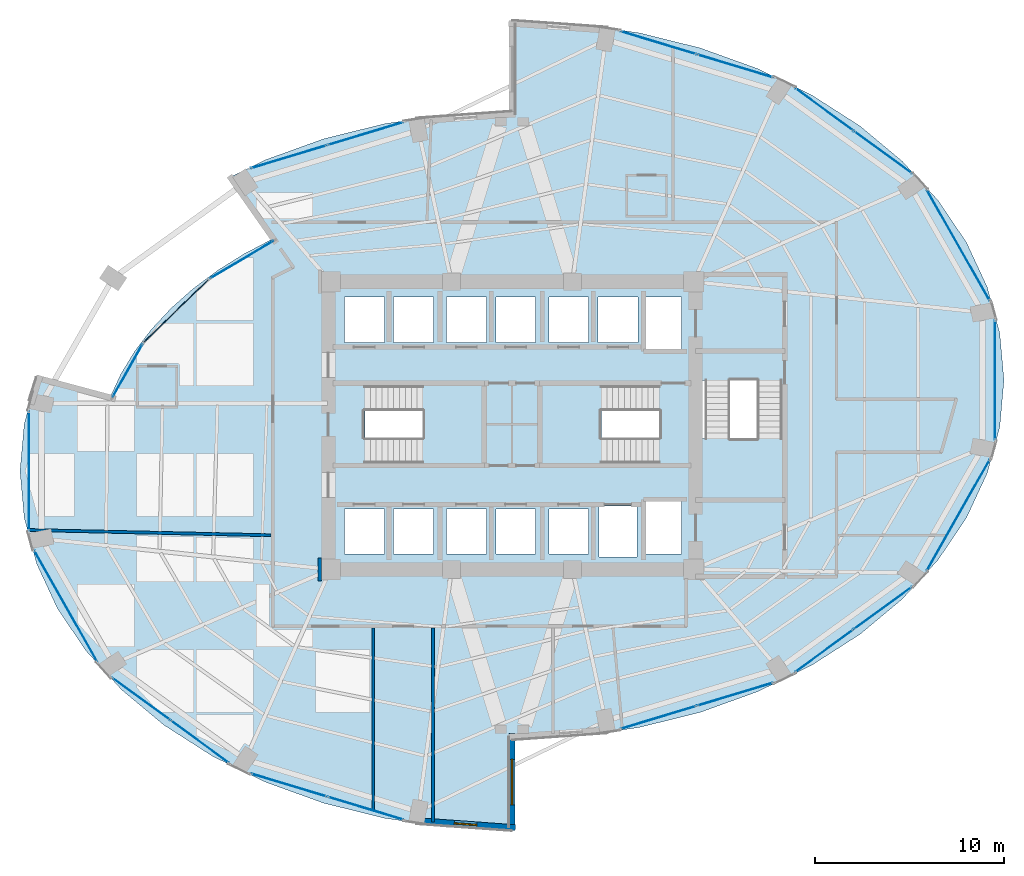
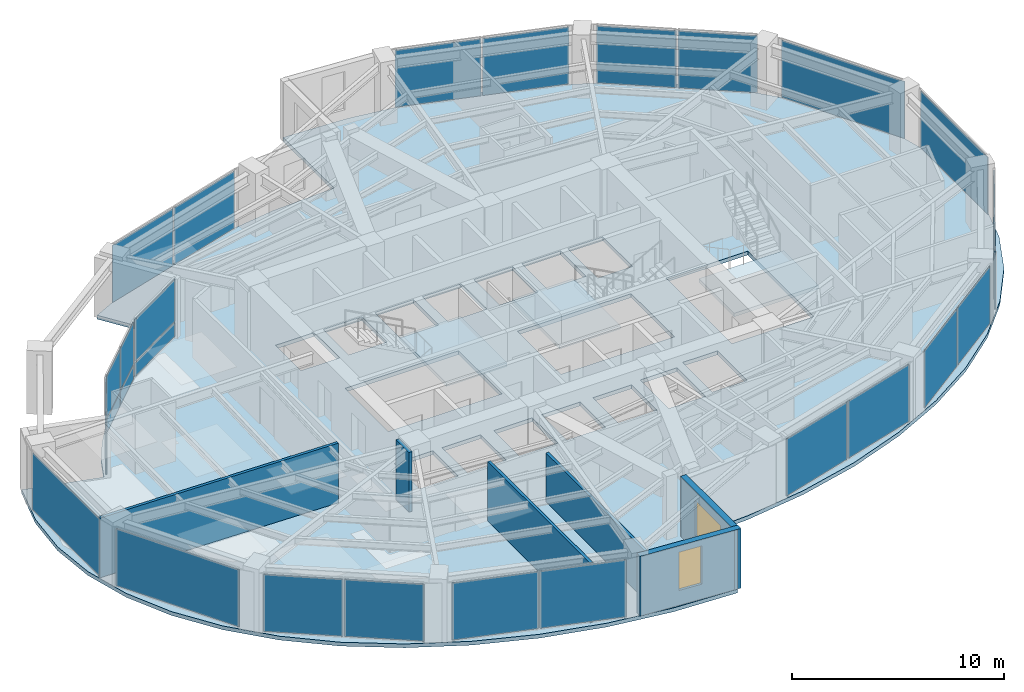
# One storey, part 19 of 24: 27 plates, 6 walls, 4 slabs, 2 windows, 2 openings, 18 elements without a shape of their own.
"""IFC4 building model written with IfcOpenShell, lengths in metres."""

import ifcopenshell
import ifcopenshell.guid

model = None  # the IFC model being written
_history = None  # IfcOwnerHistory: only IFC2X3 demands one
_inside = {}  # id of a spatial element -> (the spatial element, [elements in it])
_under = {}  # id of a project, library or spatial element -> (it, [spatial elements below it])
_declared = {}  # id of a project -> (the project, [libraries it declares])
_typed = {}  # id of a type object -> (the type object, [elements of that type])
_made_of = {}  # id of a material, layer set ... -> (it, [elements and type objects made of it])


def new_model(schema):
    """Start an empty IFC model of exactly this schema.

    Asked for "IFC4X3", IfcOpenShell would pick the latest addendum, in which some entities
    have other attributes; the version numbers below select the first issue.
    IFC2X3 requires an IfcOwnerHistory on every rooted entity: one is made here for all.
    """
    global model, _history
    if schema == "IFC4X3":
        model = ifcopenshell.file(schema_version=(4, 3, 0, 0))
    else:
        model = ifcopenshell.file(schema=schema)
    _inside.clear()
    _under.clear()
    _declared.clear()
    _typed.clear()
    _made_of.clear()
    _history = None
    if model.schema == "IFC2X3":
        org = make("IfcOrganization", Name="unknown")
        user = make(
            "IfcPersonAndOrganization",
            ThePerson=make("IfcPerson", FamilyName="unknown"),
            TheOrganization=org,
        )
        app = make(
            "IfcApplication",
            ApplicationDeveloper=org,
            Version="unknown",
            ApplicationFullName="unknown",
            ApplicationIdentifier="unknown",
        )
        _history = make(
            "IfcOwnerHistory",
            OwningUser=user,
            OwningApplication=app,
            ChangeAction="ADDED",
            CreationDate=0,
        )
    return model


def make(cls, **values):
    """One entity of the class cls with the attributes given. An attribute that is None is left unset."""
    return model.create_entity(
        cls, **{name: value for name, value in values.items() if value is not None}
    )


def rooted(cls, **values):
    """An entity with a GlobalId (a new one), such as an element, a storey or a relation."""
    return make(cls, GlobalId=ifcopenshell.guid.new(), OwnerHistory=_history, **values)


def si_unit(unit_type, name, prefix=None):
    """IfcSIUnit, for example si_unit("LENGTHUNIT", "METRE", prefix="MILLI")."""
    return make("IfcSIUnit", UnitType=unit_type, Prefix=prefix, Name=name)


def assignment(units):
    """IfcUnitAssignment: the units of a project."""
    return None if units is None else make("IfcUnitAssignment", Units=units)


def point(xyz):
    """IfcCartesianPoint."""
    return None if xyz is None else make("IfcCartesianPoint", Coordinates=xyz)


def direction(xyz):
    """IfcDirection."""
    return None if xyz is None else make("IfcDirection", DirectionRatios=xyz)


def frame(location, z_axis=None, x_axis=None):
    """IfcAxis2Placement3D, a coordinate frame: its origin and axes. An axis left out is left unset."""
    return make(
        "IfcAxis2Placement3D",
        Location=point(location),
        Axis=direction(z_axis),
        RefDirection=direction(x_axis),
    )


def frame_2d(location, x_axis=None):
    """IfcAxis2Placement2D, a coordinate frame in the plane: its origin and x axis."""
    return make(
        "IfcAxis2Placement2D", Location=point(location), RefDirection=direction(x_axis)
    )


def origin():
    """The frame at (0, 0, 0) with its axes left unset."""
    return frame((0.0, 0.0, 0.0))


def origin_2d():
    """The frame at (0, 0) in the plane with its x axis left unset."""
    return frame_2d((0.0, 0.0))


def place(relative_to, where):
    """IfcLocalPlacement: puts the frame where relative to a parent placement (None: the world)."""
    return make(
        "IfcLocalPlacement", PlacementRelTo=relative_to, RelativePlacement=where
    )


def context(
    kind, dimensions, precision=None, world=None, true_north=None, identifier=None
):
    """IfcGeometricRepresentationContext, for example the 3D "Model" context."""
    return make(
        "IfcGeometricRepresentationContext",
        ContextIdentifier=identifier,
        ContextType=kind,
        CoordinateSpaceDimension=dimensions,
        Precision=precision,
        WorldCoordinateSystem=world,
        TrueNorth=true_north,
    )


def subcontext(parent, identifier, kind, view, scale=None):
    """IfcGeometricRepresentationSubContext, for example "Body" below "Model"."""
    return make(
        "IfcGeometricRepresentationSubContext",
        ContextIdentifier=identifier,
        ContextType=kind,
        ParentContext=parent,
        TargetScale=scale,
        TargetView=view,
    )


def project(units=None, contexts=None):
    """IfcProject with its units and contexts."""
    return rooted(
        "IfcProject",
        Name="project",
        RepresentationContexts=contexts,
        UnitsInContext=assignment(units),
    )


def spatial(cls, under=None, at=None, **own):
    """A site, building, storey or space (cls), placed at a placement, below another one or the project."""
    s = rooted(cls, ObjectPlacement=at, **own)
    if under is not None:
        _under.setdefault(under.id(), (under, []))[1].append(s)
    return s


def polyline(points):
    """IfcPolyline through the points."""
    return make("IfcPolyline", Points=[point(p) for p in points])


def profile(cls, at=None, kind="AREA", **sizes):
    """A parametric profile (cls). Its sizes go by their IFC names, for example OverallWidth=200.0."""
    return make(cls, ProfileType=kind, Position=at, **sizes)


def rectangle(**sizes):
    """IfcRectangleProfileDef."""
    return profile("IfcRectangleProfileDef", **sizes)


def outline(outer, holes=None, kind="AREA"):
    """IfcArbitraryClosedProfileDef: a profile drawn as a closed curve; with holes, ...WithVoids."""
    if holes is None:
        return make("IfcArbitraryClosedProfileDef", ProfileType=kind, OuterCurve=outer)
    return make(
        "IfcArbitraryProfileDefWithVoids",
        ProfileType=kind,
        OuterCurve=outer,
        InnerCurves=holes,
    )


def extrude(swept, where, along, depth):
    """IfcExtrudedAreaSolid: the profile swept, set in the frame where, extruded along a direction by depth."""
    return make(
        "IfcExtrudedAreaSolid",
        SweptArea=swept,
        Position=where,
        ExtrudedDirection=direction(along),
        Depth=depth,
    )


def shape(context_of_items, identifier, shape_type, items):
    """IfcShapeRepresentation: the items that make up one representation, for example the "Body"."""
    return make(
        "IfcShapeRepresentation",
        ContextOfItems=context_of_items,
        RepresentationIdentifier=identifier,
        RepresentationType=shape_type,
        Items=items,
    )


def material(Name=None, Category=None):
    """IfcMaterial."""
    return make("IfcMaterial", Name=Name, Category=Category)


def layer(
    of_material, thickness, ventilated=None, Name=None, Category=None, Priority=None
):
    """IfcMaterialLayer: one layer of a wall or slab, of a material (None: an air gap)."""
    return make(
        "IfcMaterialLayer",
        Material=of_material,
        LayerThickness=thickness,
        IsVentilated=ventilated,
        Name=Name,
        Category=Category,
        Priority=Priority,
    )


def layer_set(layers, Name=None):
    """IfcMaterialLayerSet."""
    return make("IfcMaterialLayerSet", MaterialLayers=layers, LayerSetName=Name)


def made_of(thing, what):
    """Note that an element or type object is made of a material, layer set ...; save() writes the relation."""
    if what is not None:
        _made_of.setdefault(what.id(), (what, []))[1].append(thing)
    return thing


def type_object(cls, material=None, **own):
    """A type object (cls), such as IfcWallType, which elements share."""
    return made_of(rooted(cls, **own), material)


def element(
    cls,
    number,
    at=None,
    inside=None,
    cuts=None,
    type_object=None,
    material=None,
    context=None,
    identifier="Body",
    shape_type=None,
    held_by="IfcProductDefinitionShape",
    body=None,
    shapes=None,
    **own,
):
    """One element of the class cls, such as IfcWall. Its Tag is "e" and its number.

    at: its placement. inside: the storey or other place that contains it. cuts: it is an
    opening in that element (IfcRelVoidsElement). A single representation is given by context,
    identifier, shape_type and body (its items); several are given by shapes. held_by: the class
    of the entity that holds the representations. save() writes the other relations.
    """
    e = rooted(cls, Tag="e%d" % number, ObjectPlacement=at, **own)
    if body is not None:
        shapes = [shape(context, identifier, shape_type, body)]
    if shapes is not None:
        e.Representation = make(held_by, Representations=shapes)
    if inside is not None:
        _inside.setdefault(inside.id(), (inside, []))[1].append(e)
    if cuts is not None:
        rooted(
            "IfcRelVoidsElement", RelatingBuildingElement=cuts, RelatedOpeningElement=e
        )
    if type_object is not None:
        _typed.setdefault(type_object.id(), (type_object, []))[1].append(e)
    return made_of(e, material)


def fill(opening, filler):
    """IfcRelFillsElement: the door or window that sits in an opening."""
    return rooted(
        "IfcRelFillsElement",
        RelatingOpeningElement=opening,
        RelatedBuildingElement=filler,
    )


def aggregate(whole, parts):
    """IfcRelAggregates: a whole, such as a stair, and the parts it consists of."""
    return rooted("IfcRelAggregates", RelatingObject=whole, RelatedObjects=parts)


def save(model, path):
    """Write the relations noted so far, then the file.

    IfcRelAggregates (storeys below a building ...), IfcRelContainedInSpatialStructure (elements
    in a storey), IfcRelDefinesByType, IfcRelAssociatesMaterial and IfcRelDeclares: one each for
    every whole, place, type object, material and project.
    """
    for whole, parts in _under.values():
        aggregate(whole, parts)
    for where, things in _inside.values():
        rooted(
            "IfcRelContainedInSpatialStructure",
            RelatedElements=things,
            RelatingStructure=where,
        )
    for kind, things in _typed.values():
        rooted("IfcRelDefinesByType", RelatedObjects=things, RelatingType=kind)
    for what, things in _made_of.values():
        rooted("IfcRelAssociatesMaterial", RelatedObjects=things, RelatingMaterial=what)
    for by, libraries in _declared.values():
        rooted("IfcRelDeclares", RelatingContext=by, RelatedDefinitions=libraries)
    model.write(path)


model = new_model("IFC4")

# Units and contexts
model_context = context("Model", 3, precision=1e-05, world=origin(), true_north=direction((0.0, 1.0)))
body_context = subcontext(model_context, "Body", "Model", "MODEL_VIEW")
ifc_project = project(units=[si_unit("LENGTHUNIT", "METRE"), si_unit("AREAUNIT", "SQUARE_METRE"), si_unit("VOLUMEUNIT", "CUBIC_METRE"), si_unit("PLANEANGLEUNIT", "RADIAN"), si_unit("MASSUNIT", "GRAM", prefix="KILO")], contexts=[model_context])

# Site, building, storey
site_placement = place(None, origin())
site = spatial("IfcSite", under=ifc_project, at=site_placement, CompositionType="ELEMENT")
building_placement = place(site_placement, origin())
building = spatial("IfcBuilding", under=site, at=building_placement, Name="Lazwardi Medical Tower", CompositionType="ELEMENT")
storey_placement = place(building_placement, frame((0.0, 0.0, 114.575927734375)))
storey = spatial("IfcBuildingStorey", under=building, at=storey_placement, Name="L29", CompositionType="ELEMENT", Elevation=114.575927734375)

# Curtain wall, plates
ifc_material_1 = material(Name="Anodised bronze aluminium and solar control glazing", Category="aluminium")
ifc_layer_1 = layer(ifc_material_1, 0.195068359375)
ifc_layer_set_1 = layer_set([ifc_layer_1], Name="Anodised bronze aluminium and solar control glazing")
curtain_wall_type_1 = type_object("IfcCurtainWallType", Name="CW-SYS-03", PredefinedType="NOTDEFINED", material=ifc_layer_set_1)
curtain_wall_1_placement = place(storey_placement, origin())
curtain_wall_1 = element("IfcCurtainWall", 1, at=curtain_wall_1_placement, inside=storey, type_object=curtain_wall_type_1, Name="L29 Unitised bronze curtain wall CW-03", PredefinedType="NOTDEFINED")
ifc_material_2 = material(Name="Low-e bronze solar control double glazing", Category="glass")
ifc_layer_2 = layer(ifc_material_2, 0.035888671875)
ifc_layer_set_2 = layer_set([ifc_layer_2], Name="Low-e bronze solar control double glazing")
plate_type_1 = type_object("IfcPlateType", Name="PLT-GLZ-01", PredefinedType="CURTAIN_PANEL", material=ifc_layer_set_2)
plate_1_placement = place(storey_placement, frame((43.73974609375, 12.573486328125, 0.0751953125), z_axis=(0.0, 0.0, 1.0), x_axis=(0.957216170558, 0.28937381157, 0.0)))
plate_1 = element("IfcPlate", 2, at=plate_1_placement, type_object=plate_type_1, Name="CW-03 panel 1.1", PredefinedType="CURTAIN_PANEL", context=body_context, shape_type="SweptSolid", body=[
    extrude(rectangle(XDim=4.16552734375, YDim=0.035888671875, at=origin_2d()), origin(), (0.0, 0.0, 1.0), 3.278076171875),
])
plate_2_placement = place(storey_placement, frame((47.798828125, 13.800537109375, 0.0751953125), z_axis=(0.0, 0.0, 1.0), x_axis=(0.957216170558, 0.28937381157, 0.0)))
plate_2 = element("IfcPlate", 3, at=plate_2_placement, type_object=plate_type_1, Name="CW-03 panel 2.1", PredefinedType="CURTAIN_PANEL", context=body_context, shape_type="SweptSolid", body=[
    extrude(rectangle(XDim=4.16552734375, YDim=0.035888671875, at=origin_2d()), origin(), (0.0, 0.0, 1.0), 3.278076171875),
])
aggregate(curtain_wall_1, [plate_1, plate_2])

curtain_wall_2_placement = place(storey_placement, origin())
curtain_wall_2 = element("IfcCurtainWall", 4, at=curtain_wall_2_placement, inside=storey, type_object=curtain_wall_type_1, Name="L29 Unitised bronze curtain wall CW-03", PredefinedType="NOTDEFINED")
plate_3_placement = place(storey_placement, frame((52.4990234375, 16.093017578125, 0.0751953125), z_axis=(0.0, 0.0, 1.0), x_axis=(0.807745837639, 0.589530882802, 0.0)))
plate_3 = element("IfcPlate", 5, at=plate_3_placement, type_object=plate_type_1, Name="CW-03 panel 1.1", PredefinedType="CURTAIN_PANEL", context=body_context, shape_type="SweptSolid", body=[
    extrude(rectangle(XDim=3.767578125, YDim=0.035888671875, at=origin_2d()), origin(), (0.0, 0.0, 1.0), 3.278076171875),
])
plate_4_placement = place(storey_placement, frame((55.60302734375, 18.3583984375, 0.0751953125), z_axis=(0.0, 0.0, 1.0), x_axis=(0.807745837639, 0.589530882802, 0.0)))
plate_4 = element("IfcPlate", 6, at=plate_4_placement, type_object=plate_type_1, Name="CW-03 panel 2.1", PredefinedType="CURTAIN_PANEL", context=body_context, shape_type="SweptSolid", body=[
    extrude(rectangle(XDim=3.767578125, YDim=0.035888671875, at=origin_2d()), origin(), (0.0, 0.0, 1.0), 3.278076171875),
])
aggregate(curtain_wall_2, [plate_3, plate_4])

# Curtain wall, plate
curtain_wall_3_placement = place(storey_placement, origin())
curtain_wall_3 = element("IfcCurtainWall", 7, at=curtain_wall_3_placement, inside=storey, type_object=curtain_wall_type_1, Name="L29 Unitised bronze curtain wall CW-03", PredefinedType="NOTDEFINED")
plate_5_placement = place(storey_placement, frame((59.5849609375, 23.270263671875, 0.0751953125), z_axis=(0.0, 0.0, 1.0), x_axis=(0.493603140041, 0.869687265712, 0.0)))
plate_5 = element("IfcPlate", 8, at=plate_5_placement, type_object=plate_type_1, Name="CW-03 panel 1.1", PredefinedType="CURTAIN_PANEL", context=body_context, shape_type="SweptSolid", body=[
    extrude(rectangle(XDim=6.722900390625, YDim=0.035888671875, at=origin_2d()), origin(), (0.0, 0.0, 1.0), 3.278076171875),
])
aggregate(curtain_wall_3, [plate_5])

curtain_wall_4_placement = place(storey_placement, origin())
curtain_wall_4 = element("IfcCurtainWall", 9, at=curtain_wall_4_placement, inside=storey, type_object=curtain_wall_type_1, Name="L29 Unitised bronze curtain wall CW-03", PredefinedType="NOTDEFINED")
plate_6_placement = place(storey_placement, frame((61.528076171875, 30.39990234375, 0.0751953125), z_axis=(0.0, 0.0, 1.0), x_axis=(0.0, 1.0, 0.0)))
plate_6 = element("IfcPlate", 10, at=plate_6_placement, type_object=plate_type_1, Name="CW-03 panel 1.1", PredefinedType="CURTAIN_PANEL", context=body_context, shape_type="SweptSolid", body=[
    extrude(rectangle(XDim=6.31982421875, YDim=0.035888671875, at=origin_2d()), origin(), (0.0, 0.0, 1.0), 3.278076171875),
])
aggregate(curtain_wall_4, [plate_6])

curtain_wall_5_placement = place(storey_placement, origin())
curtain_wall_5 = element("IfcCurtainWall", 11, at=curtain_wall_5_placement, inside=storey, type_object=curtain_wall_type_1, Name="L29 Unitised bronze curtain wall CW-03", PredefinedType="NOTDEFINED")
plate_7_placement = place(storey_placement, frame((59.5849609375, 37.52978515625, 0.0751953125), z_axis=(0.0, 0.0, 1.0), x_axis=(-0.493603140041, 0.869687265712, 0.0)))
plate_7 = element("IfcPlate", 12, at=plate_7_placement, type_object=plate_type_1, Name="CW-03 panel 1.1", PredefinedType="CURTAIN_PANEL", context=body_context, shape_type="SweptSolid", body=[
    extrude(rectangle(XDim=6.722900390625, YDim=0.035888671875, at=origin_2d()), origin(), (0.0, 0.0, 1.0), 3.278076171875),
])
aggregate(curtain_wall_5, [plate_7])

# Curtain wall, plates
curtain_wall_6_placement = place(storey_placement, origin())
curtain_wall_6 = element("IfcCurtainWall", 13, at=curtain_wall_6_placement, inside=storey, type_object=curtain_wall_type_1, Name="L29 Unitised bronze curtain wall CW-03", PredefinedType="NOTDEFINED")
plate_8_placement = place(storey_placement, frame((55.60302734375, 42.441650390625, 0.0751953125), z_axis=(0.0, 0.0, 1.0), x_axis=(-0.807745837639, 0.589530882802, 0.0)))
plate_8 = element("IfcPlate", 14, at=plate_8_placement, type_object=plate_type_1, Name="CW-03 panel 1.1", PredefinedType="CURTAIN_PANEL", context=body_context, shape_type="SweptSolid", body=[
    extrude(rectangle(XDim=3.767578125, YDim=0.035888671875, at=origin_2d()), origin(), (0.0, 0.0, 1.0), 3.278076171875),
])
plate_9_placement = place(storey_placement, frame((52.4990234375, 44.70703125, 0.0751953125), z_axis=(0.0, 0.0, 1.0), x_axis=(-0.807745837639, 0.589530882802, 0.0)))
plate_9 = element("IfcPlate", 15, at=plate_9_placement, type_object=plate_type_1, Name="CW-03 panel 2.1", PredefinedType="CURTAIN_PANEL", context=body_context, shape_type="SweptSolid", body=[
    extrude(rectangle(XDim=3.767578125, YDim=0.035888671875, at=origin_2d()), origin(), (0.0, 0.0, 1.0), 3.278076171875),
])
aggregate(curtain_wall_6, [plate_8, plate_9])

curtain_wall_7_placement = place(storey_placement, origin())
curtain_wall_7 = element("IfcCurtainWall", 16, at=curtain_wall_7_placement, inside=storey, type_object=curtain_wall_type_1, Name="L29 Unitised bronze curtain wall CW-03", PredefinedType="NOTDEFINED")
plate_10_placement = place(storey_placement, frame((47.798828125, 46.99951171875, 0.0751953125), z_axis=(0.0, 0.0, 1.0), x_axis=(-0.957216170558, 0.28937381157, 0.0)))
plate_10 = element("IfcPlate", 17, at=plate_10_placement, type_object=plate_type_1, Name="CW-03 panel 1.1", PredefinedType="CURTAIN_PANEL", context=body_context, shape_type="SweptSolid", body=[
    extrude(rectangle(XDim=4.16552734375, YDim=0.035888671875, at=origin_2d()), origin(), (0.0, 0.0, 1.0), 3.278076171875),
])
plate_11_placement = place(storey_placement, frame((43.73974609375, 48.2265625, 0.0751953125), z_axis=(0.0, 0.0, 1.0), x_axis=(-0.957216170558, 0.28937381157, 0.0)))
plate_11 = element("IfcPlate", 18, at=plate_11_placement, type_object=plate_type_1, Name="CW-03 panel 2.1", PredefinedType="CURTAIN_PANEL", context=body_context, shape_type="SweptSolid", body=[
    extrude(rectangle(XDim=4.16552734375, YDim=0.035888671875, at=origin_2d()), origin(), (0.0, 0.0, 1.0), 3.278076171875),
])
aggregate(curtain_wall_7, [plate_10, plate_11])

curtain_wall_8_placement = place(storey_placement, origin())
curtain_wall_8 = element("IfcCurtainWall", 19, at=curtain_wall_8_placement, inside=storey, type_object=curtain_wall_type_1, Name="L29 Unitised bronze curtain wall CW-03", PredefinedType="NOTDEFINED")
plate_12_placement = place(storey_placement, frame((28.26025390625, 43.426513671875, 0.0751953125), z_axis=(0.0, 0.0, 1.0), x_axis=(-0.957216170558, -0.28937381157, 0.0)))
plate_12 = element("IfcPlate", 20, at=plate_12_placement, type_object=plate_type_1, Name="CW-03 panel 1.1", PredefinedType="CURTAIN_PANEL", context=body_context, shape_type="SweptSolid", body=[
    extrude(rectangle(XDim=4.16552734375, YDim=0.035888671875, at=origin_2d()), origin(), (0.0, 0.0, 1.0), 3.278076171875),
])
plate_13_placement = place(storey_placement, frame((24.201171875, 42.199462890625, 0.0751953125), z_axis=(0.0, 0.0, 1.0), x_axis=(-0.957216170558, -0.28937381157, 0.0)))
plate_13 = element("IfcPlate", 21, at=plate_13_placement, type_object=plate_type_1, Name="CW-03 panel 2.1", PredefinedType="CURTAIN_PANEL", context=body_context, shape_type="SweptSolid", body=[
    extrude(rectangle(XDim=4.16552734375, YDim=0.035888671875, at=origin_2d()), origin(), (0.0, 0.0, 1.0), 3.278076171875),
])
aggregate(curtain_wall_8, [plate_12, plate_13])

# Curtain wall, plate
curtain_wall_9_placement = place(storey_placement, origin())
curtain_wall_9 = element("IfcCurtainWall", 22, at=curtain_wall_9_placement, inside=storey, type_object=curtain_wall_type_1, Name="L29 Unitised bronze curtain wall CW-03", PredefinedType="NOTDEFINED")
plate_14_placement = place(storey_placement, frame((10.471923828125, 25.60009765625, 0.0751953125), z_axis=(0.0, 0.0, 1.0), x_axis=(0.0, -1.0, 0.0)))
plate_14 = element("IfcPlate", 23, at=plate_14_placement, type_object=plate_type_1, Name="CW-03 panel 1.1", PredefinedType="CURTAIN_PANEL", context=body_context, shape_type="SweptSolid", body=[
    extrude(rectangle(XDim=6.31982421875, YDim=0.035888671875, at=origin_2d()), origin(), (0.0, 0.0, 1.0), 3.278076171875),
])
aggregate(curtain_wall_9, [plate_14])

curtain_wall_10_placement = place(storey_placement, origin())
curtain_wall_10 = element("IfcCurtainWall", 24, at=curtain_wall_10_placement, inside=storey, type_object=curtain_wall_type_1, Name="L29 Unitised bronze curtain wall CW-03", PredefinedType="NOTDEFINED")
plate_15_placement = place(storey_placement, frame((12.4150390625, 18.47021484375, 0.0751953125), z_axis=(0.0, 0.0, 1.0), x_axis=(0.493603140041, -0.869687265712, 0.0)))
plate_15 = element("IfcPlate", 25, at=plate_15_placement, type_object=plate_type_1, Name="CW-03 panel 1.1", PredefinedType="CURTAIN_PANEL", context=body_context, shape_type="SweptSolid", body=[
    extrude(rectangle(XDim=6.722900390625, YDim=0.035888671875, at=origin_2d()), origin(), (0.0, 0.0, 1.0), 3.278076171875),
])
aggregate(curtain_wall_10, [plate_15])

# Curtain wall, plates
curtain_wall_11_placement = place(storey_placement, origin())
curtain_wall_11 = element("IfcCurtainWall", 26, at=curtain_wall_11_placement, inside=storey, type_object=curtain_wall_type_1, Name="L29 Unitised bronze curtain wall CW-03", PredefinedType="NOTDEFINED")
plate_16_placement = place(storey_placement, frame((16.39697265625, 13.558349609375, 0.0751953125), z_axis=(0.0, 0.0, 1.0), x_axis=(0.807745837639, -0.589530882802, 0.0)))
plate_16 = element("IfcPlate", 27, at=plate_16_placement, type_object=plate_type_1, Name="CW-03 panel 1.1", PredefinedType="CURTAIN_PANEL", context=body_context, shape_type="SweptSolid", body=[
    extrude(rectangle(XDim=3.767578125, YDim=0.035888671875, at=origin_2d()), origin(), (0.0, 0.0, 1.0), 3.278076171875),
])
plate_17_placement = place(storey_placement, frame((19.5009765625, 11.29296875, 0.0751953125), z_axis=(0.0, 0.0, 1.0), x_axis=(0.807745837639, -0.589530882802, 0.0)))
plate_17 = element("IfcPlate", 28, at=plate_17_placement, type_object=plate_type_1, Name="CW-03 panel 2.1", PredefinedType="CURTAIN_PANEL", context=body_context, shape_type="SweptSolid", body=[
    extrude(rectangle(XDim=3.767578125, YDim=0.035888671875, at=origin_2d()), origin(), (0.0, 0.0, 1.0), 3.278076171875),
])
aggregate(curtain_wall_11, [plate_16, plate_17])

curtain_wall_12_placement = place(storey_placement, origin())
curtain_wall_12 = element("IfcCurtainWall", 29, at=curtain_wall_12_placement, inside=storey, type_object=curtain_wall_type_1, Name="L29 Unitised bronze curtain wall CW-03", PredefinedType="NOTDEFINED")
plate_18_placement = place(storey_placement, frame((24.201171875, 9.00048828125, 0.0751953125), z_axis=(0.0, 0.0, 1.0), x_axis=(0.957216170558, -0.28937381157, 0.0)))
plate_18 = element("IfcPlate", 30, at=plate_18_placement, type_object=plate_type_1, Name="CW-03 panel 1.1", PredefinedType="CURTAIN_PANEL", context=body_context, shape_type="SweptSolid", body=[
    extrude(rectangle(XDim=4.16552734375, YDim=0.035888671875, at=origin_2d()), origin(), (0.0, 0.0, 1.0), 3.278076171875),
])
plate_19_placement = place(storey_placement, frame((28.26025390625, 7.7734375, 0.0751953125), z_axis=(0.0, 0.0, 1.0), x_axis=(0.957216170558, -0.28937381157, 0.0)))
plate_19 = element("IfcPlate", 31, at=plate_19_placement, type_object=plate_type_1, Name="CW-03 panel 2.1", PredefinedType="CURTAIN_PANEL", context=body_context, shape_type="SweptSolid", body=[
    extrude(rectangle(XDim=4.16552734375, YDim=0.035888671875, at=origin_2d()), origin(), (0.0, 0.0, 1.0), 3.278076171875),
])
aggregate(curtain_wall_12, [plate_18, plate_19])

ifc_layer_3 = layer(ifc_material_1, 0.239990234375)
ifc_layer_set_3 = layer_set([ifc_layer_3], Name="Anodised bronze aluminium and solar control glazing")
curtain_wall_type_2 = type_object("IfcCurtainWallType", Name="CW-SYS-05", PredefinedType="NOTDEFINED", material=ifc_layer_set_3)
curtain_wall_13_placement = place(storey_placement, origin())
curtain_wall_13 = element("IfcCurtainWall", 32, at=curtain_wall_13_placement, inside=storey, type_object=curtain_wall_type_2, Name="L29 Unitised bronze curtain wall CW-05", PredefinedType="NOTDEFINED")
ifc_material_3 = material(Name="Laminated acoustic bronze double glazing", Category="glass")
ifc_layer_4 = layer(ifc_material_3, 0.0419921875)
ifc_layer_set_4 = layer_set([ifc_layer_4], Name="Laminated acoustic bronze double glazing")
plate_type_2 = type_object("IfcPlateType", Name="PLT-GLZ-02", PredefinedType="CURTAIN_PANEL", material=ifc_layer_set_4)
plate_20_placement = place(storey_placement, frame((21.72412109375, 36.7685546875, 0.085205078125), z_axis=(0.0, 0.0, 1.0), x_axis=(-0.860814811095, -0.508918324488, 0.0)))
plate_20 = element("IfcPlate", 33, at=plate_20_placement, type_object=plate_type_2, Name="CW-05 panel 1.1", PredefinedType="CURTAIN_PANEL", context=body_context, shape_type="SweptSolid", body=[
    extrude(rectangle(XDim=3.84033203125, YDim=0.0419921875, at=origin_2d()), origin(), (0.0, 0.0, 1.0), 0.7724609375),
])
plate_21_placement = place(storey_placement, frame((21.72412109375, 36.7685546875, 0.942626953125), z_axis=(0.0, 0.0, 1.0), x_axis=(-0.860814811095, -0.508918324488, 0.0)))
plate_21 = element("IfcPlate", 34, at=plate_21_placement, type_object=plate_type_2, Name="CW-05 panel 1.2", PredefinedType="CURTAIN_PANEL", context=body_context, shape_type="SweptSolid", body=[
    extrude(rectangle(XDim=3.84033203125, YDim=0.0419921875, at=origin_2d()), origin(), (0.0, 0.0, 1.0), 2.400390625),
])
aggregate(curtain_wall_13, [plate_20, plate_21])

curtain_wall_14_placement = place(storey_placement, origin())
curtain_wall_14 = element("IfcCurtainWall", 35, at=curtain_wall_14_placement, inside=storey, type_object=curtain_wall_type_2, Name="L29 Unitised bronze curtain wall CW-05", PredefinedType="NOTDEFINED")
plate_22_placement = place(storey_placement, frame((15.68505859375, 30.9033203125, 0.085205078125), z_axis=(0.0, 0.0, 1.0), x_axis=(-0.491556224341, -0.870845840727, 0.0)))
plate_22 = element("IfcPlate", 36, at=plate_22_placement, type_object=plate_type_2, Name="CW-05 panel 1.1", PredefinedType="CURTAIN_PANEL", context=body_context, shape_type="SweptSolid", body=[
    extrude(rectangle(XDim=3.1650390625, YDim=0.0419921875, at=origin_2d()), origin(), (0.0, 0.0, 1.0), 0.7724609375),
])
plate_23_placement = place(storey_placement, frame((15.68505859375, 30.9033203125, 0.942626953125), z_axis=(0.0, 0.0, 1.0), x_axis=(-0.491556224341, -0.870845840727, 0.0)))
plate_23 = element("IfcPlate", 37, at=plate_23_placement, type_object=plate_type_2, Name="CW-05 panel 1.2", PredefinedType="CURTAIN_PANEL", context=body_context, shape_type="SweptSolid", body=[
    extrude(rectangle(XDim=3.1650390625, YDim=0.0419921875, at=origin_2d()), origin(), (0.0, 0.0, 1.0), 2.400390625),
])
aggregate(curtain_wall_14, [plate_22, plate_23])

curtain_wall_15_placement = place(storey_placement, origin())
curtain_wall_15 = element("IfcCurtainWall", 38, at=curtain_wall_15_placement, inside=storey, type_object=curtain_wall_type_2, Name="L29 Unitised bronze curtain wall CW-05", PredefinedType="NOTDEFINED")
plate_24_placement = place(storey_placement, frame((19.109375, 34.885009765625, 0.085205078125), z_axis=(0.0, 0.0, 1.0), x_axis=(-0.717350635147, -0.696712326756, 0.0)))
plate_24 = element("IfcPlate", 39, at=plate_24_placement, type_object=plate_type_2, Name="CW-05 panel 1.1", PredefinedType="CURTAIN_PANEL", context=body_context, shape_type="SweptSolid", body=[
    extrude(rectangle(XDim=2.307373046875, YDim=0.0419921875, at=origin_2d()), origin(), (0.0, 0.0, 1.0), 0.7724609375),
])
plate_25_placement = place(storey_placement, frame((19.109375, 34.885009765625, 0.942626953125), z_axis=(0.0, 0.0, 1.0), x_axis=(-0.717350635147, -0.696712326756, 0.0)))
plate_25 = element("IfcPlate", 40, at=plate_25_placement, type_object=plate_type_2, Name="CW-05 panel 1.2", PredefinedType="CURTAIN_PANEL", context=body_context, shape_type="SweptSolid", body=[
    extrude(rectangle(XDim=2.307373046875, YDim=0.0419921875, at=origin_2d()), origin(), (0.0, 0.0, 1.0), 2.400390625),
])
plate_26_placement = place(storey_placement, frame((17.393310546875, 33.21826171875, 0.085205078125), z_axis=(0.0, 0.0, 1.0), x_axis=(-0.717350635147, -0.696712326756, 0.0)))
plate_26 = element("IfcPlate", 41, at=plate_26_placement, type_object=plate_type_2, Name="CW-05 panel 2.1", PredefinedType="CURTAIN_PANEL", context=body_context, shape_type="SweptSolid", body=[
    extrude(rectangle(XDim=2.307373046875, YDim=0.0419921875, at=origin_2d()), origin(), (0.0, 0.0, 1.0), 0.7724609375),
])
plate_27_placement = place(storey_placement, frame((17.393310546875, 33.21826171875, 0.942626953125), z_axis=(0.0, 0.0, 1.0), x_axis=(-0.717350635147, -0.696712326756, 0.0)))
plate_27 = element("IfcPlate", 42, at=plate_27_placement, type_object=plate_type_2, Name="CW-05 panel 2.2", PredefinedType="CURTAIN_PANEL", context=body_context, shape_type="SweptSolid", body=[
    extrude(rectangle(XDim=2.307373046875, YDim=0.0419921875, at=origin_2d()), origin(), (0.0, 0.0, 1.0), 2.400390625),
])
aggregate(curtain_wall_15, [plate_24, plate_25, plate_26, plate_27])

# Stair, slab
ifc_material_4 = material(Name="Concrete C45/55", Category="concrete")
stair_type = type_object("IfcStairType", Name="STR-WRD", PredefinedType="HALF_TURN_STAIR", material=ifc_material_4)
stair_1_placement = place(storey_placement, origin())
stair_1 = element("IfcStair", 43, at=stair_1_placement, inside=storey, type_object=stair_type, Name="L29 Protected Exit Stair ST1", PredefinedType="HALF_TURN_STAIR")
ifc_layer_5 = layer(ifc_material_4, 0.199951171875)
ifc_layer_set_5 = layer_set([ifc_layer_5], Name="Concrete C45/55")
slab_type_1 = type_object("IfcSlabType", Name="SLB-LND-190", PredefinedType="LANDING", material=ifc_layer_set_5)
slab_1_placement = place(storey_placement, frame((0.0, 0.0, 1.6240234375)))
slab_1 = element("IfcSlab", 44, at=slab_1_placement, type_object=slab_type_1, Name="ST1 landing 1", PredefinedType="LANDING", context=body_context, shape_type="SweptSolid", body=[
    extrude(outline(polyline([(31.27490234375, 25.840087890625), (34.580078125, 25.840087890625), (34.580078125, 30.280029296875), (31.27490234375, 30.280029296875), (31.27490234375, 25.840087890625)])), origin(), (0.0, 0.0, 1.0), 0.199951171875),
])
aggregate(stair_1, [slab_1])

stair_2_placement = place(storey_placement, origin())
stair_2 = element("IfcStair", 45, at=stair_2_placement, inside=storey, type_object=stair_type, Name="L29 Protected Exit Stair ST2", PredefinedType="HALF_TURN_STAIR")
slab_2_placement = place(storey_placement, frame((0.0, 0.0, 1.6240234375)))
slab_2 = element("IfcSlab", 46, at=slab_2_placement, type_object=slab_type_1, Name="ST2 landing 1", PredefinedType="LANDING", context=body_context, shape_type="SweptSolid", body=[
    extrude(outline(polyline([(40.72509765625, 30.280029296875), (37.419921875, 30.280029296875), (37.419921875, 25.840087890625), (40.72509765625, 25.840087890625), (40.72509765625, 30.280029296875)])), origin(), (0.0, 0.0, 1.0), 0.199951171875),
])
aggregate(stair_2, [slab_2])

stair_3_placement = place(storey_placement, origin())
stair_3 = element("IfcStair", 47, at=stair_3_placement, inside=storey, type_object=stair_type, Name="L29 Protected Exit Stair ST3", PredefinedType="HALF_TURN_STAIR")
slab_3_placement = place(storey_placement, frame((0.0, 0.0, 1.6240234375)))
slab_3 = element("IfcSlab", 48, at=slab_3_placement, type_object=slab_type_1, Name="ST3 landing 1", PredefinedType="LANDING", context=body_context, shape_type="SweptSolid", body=[
    extrude(outline(polyline([(45.860107421875, 27.324951171875), (45.860107421875, 24.02001953125), (50.4599609375, 24.02001953125), (50.4599609375, 27.324951171875), (45.860107421875, 27.324951171875)])), origin(), (0.0, 0.0, 1.0), 0.199951171875),
])
aggregate(stair_3, [slab_3])

# Slab
ifc_material_5 = material(Name="Concrete C50/60", Category="concrete")
ifc_layer_6 = layer(ifc_material_5, 0.219970703125)
ifc_layer_set_6 = layer_set([ifc_layer_6], Name="Concrete C50/60")
slab_type_2 = type_object("IfcSlabType", Name="SLB-WRD-220", PredefinedType="FLOOR", material=ifc_layer_set_6)
slab_4_placement = place(storey_placement, frame((0.0, 0.0, -0.219970703125)))
element("IfcSlab", 49, at=slab_4_placement, inside=storey, type_object=slab_type_2, Name="Structural floor slab SF-03 L29", PredefinedType="FLOOR", context=body_context, shape_type="SweptSolid", body=[
    extrude(outline(polyline([(61.777587890625, 32.8798828125), (61.114013671875, 35.317626953125), (60.02099609375, 37.6708984375), (58.5166015625, 39.89990234375), (56.627197265625, 41.966552734375), (54.384765625, 43.8349609375), (51.827880859375, 45.4736328125), (49.0, 46.8544921875), (45.94970703125, 47.95361328125), (42.729248046875, 48.752685546875), (39.393798828125, 49.237548828125), (36.0, 49.39990234375), (36.0, 44.60009765625), (32.606201171875, 44.4375), (29.270751953125, 43.95263671875), (26.05029296875, 43.15380859375), (23.0, 42.054443359375), (21.1142578125, 41.1337890625), (23.385498046875, 37.89013671875), (23.3857421875, 37.8896484375), (23.385986328125, 37.889404296875), (23.385986328125, 37.888916015625), (23.38623046875, 37.88818359375), (23.38623046875, 37.887939453125), (23.38623046875, 37.887451171875), (23.38623046875, 37.886962890625), (23.38623046875, 37.886474609375), (23.385986328125, 37.885986328125), (23.385986328125, 37.885498046875), (23.3857421875, 37.885009765625), (23.385498046875, 37.884521484375), (23.38525390625, 37.884033203125), (23.384765625, 37.8837890625), (23.384521484375, 37.88330078125), (23.384033203125, 37.883056640625), (23.383544921875, 37.8828125), (21.861083984375, 37.08642578125), (20.446533203125, 36.202392578125), (19.150146484375, 35.23779296875), (17.982177734375, 34.199951171875), (16.951171875, 33.0966796875), (16.065185546875, 31.9365234375), (15.331298828125, 30.727783203125), (14.754150390625, 29.480224609375), (14.75390625, 29.479736328125), (14.753662109375, 29.479248046875), (14.75341796875, 29.47900390625), (14.7529296875, 29.478515625), (14.752685546875, 29.478271484375), (14.752197265625, 29.47802734375), (14.751708984375, 29.477783203125), (14.751220703125, 29.4775390625), (14.750732421875, 29.477294921875), (14.750244140625, 29.477294921875), (14.749755859375, 29.477294921875), (14.749267578125, 29.477294921875), (14.748779296875, 29.477294921875), (14.748291015625, 29.4775390625), (10.884521484375, 30.5126953125), (10.884521484375, 30.5126953125), (10.222412109375, 28.080078125), (10.0, 25.60009765625), (10.222412109375, 23.1201171875), (10.885986328125, 20.682373046875), (11.97900390625, 18.3291015625), (13.4833984375, 16.10009765625), (15.372802734375, 14.033447265625), (17.615234375, 12.1650390625), (20.172119140625, 10.5263671875), (23.0, 9.1455078125), (26.05029296875, 8.04638671875), (29.270751953125, 7.247314453125), (32.606201171875, 6.762451171875), (36.0, 6.60009765625), (36.0, 11.39990234375), (39.393798828125, 11.5625), (42.729248046875, 12.04736328125), (45.94970703125, 12.84619140625), (49.0, 13.945556640625), (51.827880859375, 15.326416015625), (54.384765625, 16.965087890625), (56.627197265625, 18.83349609375), (58.5166015625, 20.89990234375), (60.02099609375, 23.12890625), (61.114013671875, 25.482421875), (61.777587890625, 27.919921875), (62.0, 30.39990234375), (61.777587890625, 32.8798828125)]), holes=[polyline([(28.22509765625, 26.02001953125), (28.22509765625, 30.10009765625), (34.39990234375, 30.10009765625), (34.39990234375, 26.02001953125), (28.22509765625, 26.02001953125)]), polyline([(37.60009765625, 30.10009765625), (43.77490234375, 30.10009765625), (43.77490234375, 26.02001953125), (37.60009765625, 26.02001953125), (37.60009765625, 30.10009765625)]), polyline([(50.280029296875, 30.375), (50.280029296875, 24.179931640625), (45.840087890625, 24.179931640625), (45.840087890625, 30.375), (50.280029296875, 30.375)]), polyline([(29.25, 32.39990234375), (27.14990234375, 32.39990234375), (27.14990234375, 34.800048828125), (29.25, 34.800048828125), (29.25, 32.39990234375)]), polyline([(29.75, 32.39990234375), (29.75, 34.800048828125), (31.85009765625, 34.800048828125), (31.85009765625, 32.39990234375), (29.75, 32.39990234375)]), polyline([(27.14990234375, 23.60009765625), (29.25, 23.60009765625), (29.25, 21.199951171875), (27.14990234375, 21.199951171875), (27.14990234375, 23.60009765625)]), polyline([(31.85009765625, 23.60009765625), (31.85009765625, 21.199951171875), (29.75, 21.199951171875), (29.75, 23.60009765625), (31.85009765625, 23.60009765625)]), polyline([(34.64990234375, 32.39990234375), (32.550048828125, 32.39990234375), (32.550048828125, 34.800048828125), (34.64990234375, 34.800048828125), (34.64990234375, 32.39990234375)]), polyline([(35.14990234375, 32.39990234375), (35.14990234375, 34.800048828125), (37.25, 34.800048828125), (37.25, 32.39990234375), (35.14990234375, 32.39990234375)]), polyline([(32.550048828125, 23.60009765625), (34.64990234375, 23.60009765625), (34.64990234375, 21.199951171875), (32.550048828125, 21.199951171875), (32.550048828125, 23.60009765625)]), polyline([(37.25, 23.60009765625), (37.25, 21.199951171875), (35.14990234375, 21.199951171875), (35.14990234375, 23.60009765625), (37.25, 23.60009765625)]), polyline([(40.050048828125, 32.39990234375), (37.949951171875, 32.39990234375), (37.949951171875, 34.800048828125), (40.050048828125, 34.800048828125), (40.050048828125, 32.39990234375)]), polyline([(40.550048828125, 32.39990234375), (40.550048828125, 34.800048828125), (42.64990234375, 34.800048828125), (42.64990234375, 32.39990234375), (40.550048828125, 32.39990234375)]), polyline([(37.949951171875, 23.60009765625), (40.050048828125, 23.60009765625), (40.050048828125, 21.199951171875), (37.949951171875, 21.199951171875), (37.949951171875, 23.60009765625)]), polyline([(44.949951171875, 34.800048828125), (44.949951171875, 32.0), (43.050048828125, 32.0), (43.050048828125, 34.800048828125), (44.949951171875, 34.800048828125)]), polyline([(44.949951171875, 21.199951171875), (43.050048828125, 21.199951171875), (43.050048828125, 24.0), (44.949951171875, 24.0), (44.949951171875, 21.199951171875)]), polyline([(40.60009765625, 21.050048828125), (40.60009765625, 23.75), (42.60009765625, 23.75), (42.60009765625, 21.050048828125), (40.60009765625, 21.050048828125)])]), origin(), (0.0, 0.0, 1.0), 0.219970703125),
])

# Wall
ifc_material_6 = material(Name="Fire-rated gypsum board on steel stud", Category="steel")
ifc_layer_7 = layer(ifc_material_6, 0.179931640625)
ifc_layer_set_7 = layer_set([ifc_layer_7], Name="Fire-rated gypsum board on steel stud")
wall_type_1 = type_object("IfcWallType", Name="WL-COR-180", PredefinedType="PARTITIONING", material=ifc_layer_set_7)
wall_1_placement = place(storey_placement, frame((25.830078125, 21.010009765625, 0.0), z_axis=(0.0, 0.0, 1.0), x_axis=(0.0, -1.0, 0.0)))
element("IfcWall", 50, at=wall_1_placement, inside=storey, type_object=wall_type_1, Name="L29 Corridor partition 12", PredefinedType="PARTITIONING", context=body_context, shape_type="SweptSolid", body=[
    extrude(rectangle(XDim=1.219970703125, YDim=0.179931640625, at=frame_2d((0.60986328125, 0.0))), origin(), (0.0, 0.0, 1.0), 3.427978515625),
])

# Wall, opening, window
ifc_material_7 = material(Name="Precast concrete C45/55", Category="concrete")
ifc_layer_8 = layer(ifc_material_7, 0.320068359375)
ifc_layer_set_8 = layer_set([ifc_layer_8], Name="Precast concrete C45/55")
wall_type_2 = type_object("IfcWallType", Name="WL-IWAN-320", PredefinedType="SOLIDWALL", material=ifc_layer_set_8)
wall_2_placement = place(storey_placement, frame((30.908935546875, 7.12548828125, 0.0), z_axis=(0.0, 0.0, 1.0), x_axis=(0.997431890304, -0.071621394884, 0.0)))
wall_2 = element("IfcWall", 51, at=wall_2_placement, inside=storey, type_object=wall_type_2, Name="L29 Iwan Portal Return Wall SW_ret", PredefinedType="SOLIDWALL", context=body_context, shape_type="SweptSolid", body=[
    extrude(rectangle(XDim=5.28369140625, YDim=0.320068359375, at=frame_2d((2.641845703125, 0.0))), origin(), (0.0, 0.0, 1.0), 3.427978515625),
])
opening_1_placement = place(wall_2_placement, frame((2.041748046875, 0.0, 0.85009765625)))
opening_1 = element("IfcOpeningElement", 52, at=opening_1_placement, cuts=wall_2, Name="Opening WN-01", PredefinedType="OPENING", context=body_context, shape_type="SweptSolid", body=[
    extrude(rectangle(XDim=1.199951171875, YDim=2.199951171875, at=frame_2d((0.60009765625, 1.10009765625))), frame((0.0, 0.169921875, 0.0), z_axis=(0.0, -1.0, 0.0), x_axis=(1.0, 0.0, 0.0)), (0.0, 0.0, 1.0), 0.340087890625),
])
window_type_1 = type_object("IfcWindowType", Name="WIN-IW-1200", PartitioningType="SINGLE_PANEL", PredefinedType="WINDOW", material=ifc_material_2)
window_1_placement = place(opening_1_placement, origin())
window_1 = element("IfcWindow", 53, at=window_1_placement, inside=storey, type_object=window_type_1, Name="L29 Iwan Slot Window SW_ret", OverallHeight=2.199951171875, OverallWidth=1.199951171875, PartitioningType="SINGLE_PANEL", PredefinedType="WINDOW", context=body_context, shape_type="SweptSolid", body=[
    extrude(rectangle(XDim=1.199951171875, YDim=2.199951171875, at=frame_2d((0.60009765625, 1.10009765625))), frame((0.0, 0.030029296875, 0.0), z_axis=(0.0, -1.0, 0.0), x_axis=(1.0, 0.0, 0.0)), (0.0, 0.0, 1.0), 0.06005859375),
])
fill(opening_1, window_1)

wall_3_placement = place(storey_placement, frame((36.0, 6.60009765625, 0.0), z_axis=(0.0, 0.0, 1.0), x_axis=(0.0, 1.0, 0.0)))
wall_3 = element("IfcWall", 54, at=wall_3_placement, inside=storey, type_object=wall_type_2, Name="L29 Turquoise Tilework Iwan Seam Wall S_seam", PredefinedType="SOLIDWALL", context=body_context, shape_type="SweptSolid", body=[
    extrude(rectangle(XDim=5.119873046875, YDim=0.320068359375, at=frame_2d((2.56005859375, 0.0))), origin(), (0.0, 0.0, 1.0), 3.427978515625),
])
opening_2_placement = place(wall_3_placement, frame((1.360107421875, 0.0, 0.840087890625)))
opening_2 = element("IfcOpeningElement", 55, at=opening_2_placement, cuts=wall_3, Name="Opening WN-02", PredefinedType="OPENING", context=body_context, shape_type="SweptSolid", body=[
    extrude(rectangle(XDim=2.39990234375, YDim=2.0400390625, at=frame_2d((1.199951171875, 1.02001953125))), frame((0.0, 0.169921875, 0.0), z_axis=(0.0, -1.0, 0.0), x_axis=(1.0, 0.0, 0.0)), (0.0, 0.0, 1.0), 0.340087890625),
])
window_type_2 = type_object("IfcWindowType", Name="WIN-IW-2400", PartitioningType="SINGLE_PANEL", PredefinedType="WINDOW", material=ifc_material_2)
window_2_placement = place(opening_2_placement, origin())
window_2 = element("IfcWindow", 56, at=window_2_placement, inside=storey, type_object=window_type_2, Name="L29 Iwan Seam Window S_seam", OverallHeight=2.0400390625, OverallWidth=2.39990234375, PartitioningType="SINGLE_PANEL", PredefinedType="WINDOW", context=body_context, shape_type="SweptSolid", body=[
    extrude(rectangle(XDim=2.39990234375, YDim=2.0400390625, at=frame_2d((1.199951171875, 1.02001953125))), frame((0.0, 0.030029296875, 0.0), z_axis=(0.0, -1.0, 0.0), x_axis=(1.0, 0.0, 0.0)), (0.0, 0.0, 1.0), 0.06005859375),
])
fill(opening_2, window_2)

# Walls
ifc_material_8 = material(Name="Acoustic gypsum board partition")
ifc_layer_9 = layer(ifc_material_8, 0.14990234375)
ifc_layer_set_9 = layer_set([ifc_layer_9], Name="Acoustic gypsum board partition")
wall_type_3 = type_object("IfcWallType", Name="WL-WRD-150", PredefinedType="PARTITIONING", material=ifc_layer_set_9)
wall_4_placement = place(storey_placement, frame((10.46533203125, 22.47900390625, 0.0), z_axis=(0.0, 0.0, 1.0), x_axis=(0.999765147572, -0.021671402821, 0.0)))
element("IfcWall", 57, at=wall_4_placement, inside=storey, type_object=wall_type_3, Name="L29 Room partition 1", PredefinedType="PARTITIONING", context=body_context, shape_type="SweptSolid", body=[
    extrude(rectangle(XDim=12.797607421875, YDim=0.14990234375, at=frame_2d((6.39892578125, 0.0))), origin(), (0.0, 0.0, 1.0), 3.427978515625),
])
wall_5_placement = place(storey_placement, frame((28.669921875, 7.66357421875, 0.0), z_axis=(0.0, 0.0, 1.0), x_axis=(0.0, 1.0, 0.0)))
element("IfcWall", 58, at=wall_5_placement, inside=storey, type_object=wall_type_3, Name="L29 Room partition 5", PredefinedType="PARTITIONING", context=body_context, shape_type="SweptSolid", body=[
    extrude(rectangle(XDim=9.646484375, YDim=0.14990234375, at=frame_2d((4.8232421875, 0.0))), origin(), (0.0, 0.0, 1.0), 3.427978515625),
])
wall_6_placement = place(storey_placement, frame((31.830078125, 7.047607421875, 0.0), z_axis=(0.0, 0.0, 1.0), x_axis=(0.0, 1.0, 0.0)))
element("IfcWall", 59, at=wall_6_placement, inside=storey, type_object=wall_type_3, Name="L29 Room partition 6", PredefinedType="PARTITIONING", context=body_context, shape_type="SweptSolid", body=[
    extrude(rectangle(XDim=10.262451171875, YDim=0.14990234375, at=frame_2d((5.13134765625, 0.0))), origin(), (0.0, 0.0, 1.0), 2.81298828125),
])

save(model, "model.ifc")
